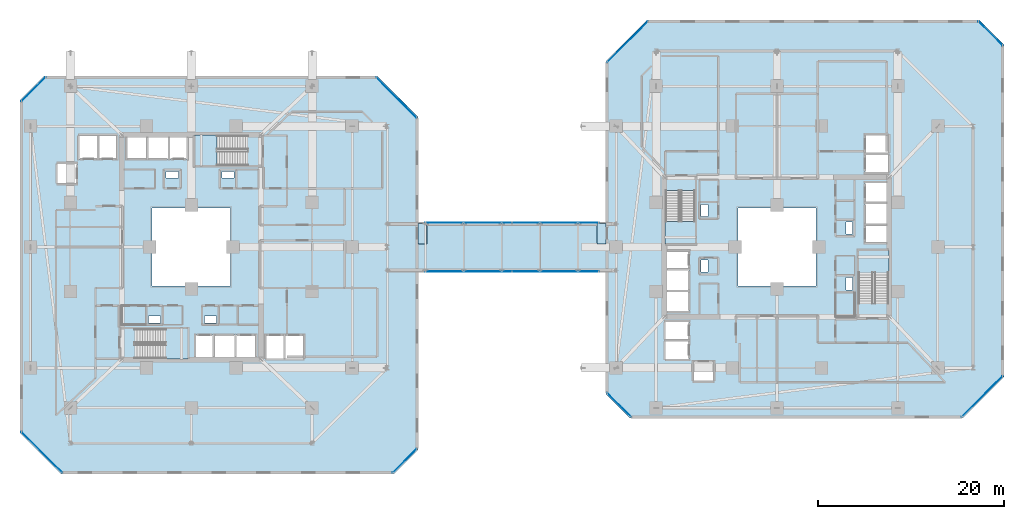
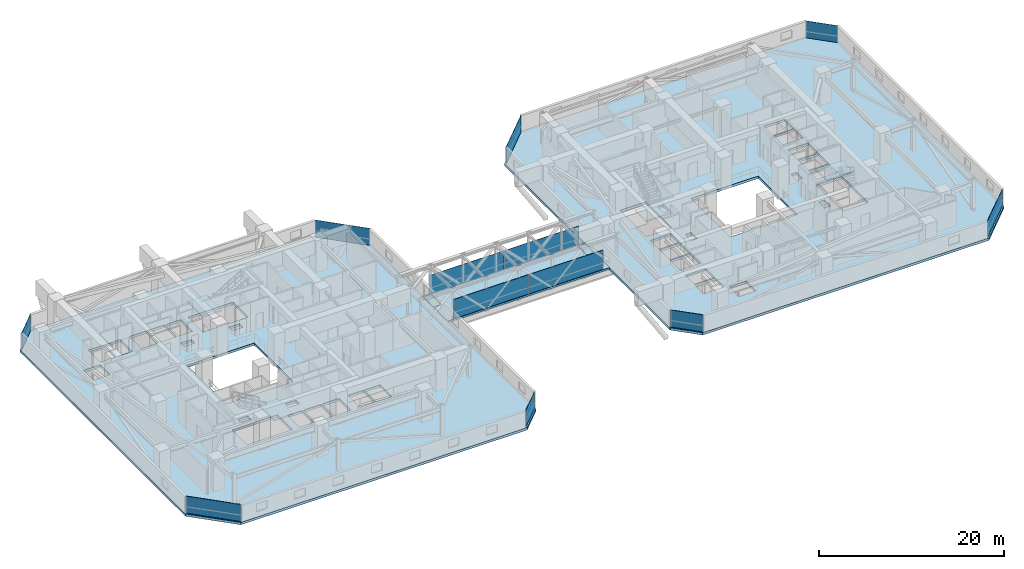
# One storey, part 23 of 38: 14 plates, 7 slabs, 14 elements without a shape of their own.
"""IFC4 building model written with IfcOpenShell, lengths in metres."""

from ifc_helpers import new_model, si_unit, direction, frame, origin, origin_2d, place, context, subcontext, project, spatial, polyline, rectangle, outline, extrude, material, layer, layer_set, type_object, element, aggregate, save


model = new_model("IFC4")

# Units and contexts
model_context = context("Model", 3, precision=1e-05, world=origin(), true_north=direction((0.0, 1.0)))
body_context = subcontext(model_context, "Body", "Model", "MODEL_VIEW")
ifc_project = project(units=[si_unit("LENGTHUNIT", "METRE"), si_unit("AREAUNIT", "SQUARE_METRE"), si_unit("VOLUMEUNIT", "CUBIC_METRE"), si_unit("PLANEANGLEUNIT", "RADIAN"), si_unit("MASSUNIT", "GRAM", prefix="KILO")], contexts=[model_context])

# Site, building, storey
site_placement = place(None, origin())
site = spatial("IfcSite", under=ifc_project, at=site_placement, CompositionType="ELEMENT")
building_placement = place(site_placement, origin())
building = spatial("IfcBuilding", under=site, at=building_placement, Name="Thornwick Lancets Civic Towers", CompositionType="ELEMENT")
storey_placement = place(building_placement, frame((0.0, 0.0, 71.699951171875)))
storey = spatial("IfcBuildingStorey", under=building, at=storey_placement, Name="L18", CompositionType="ELEMENT", Elevation=71.699951171875)

# Curtain wall, plate
ifc_material_1 = material(Name="Low-zone chamfered-corner unitised glass curtain wall", Category="glass")
curtain_wall_type_1 = type_object("IfcCurtainWallType", Name="CW_SYS_03", PredefinedType="NOTDEFINED", material=ifc_material_1)
curtain_wall_1_placement = place(storey_placement, origin())
curtain_wall_1 = element("IfcCurtainWall", 1, at=curtain_wall_1_placement, inside=storey, type_object=curtain_wall_type_1, Name="L18 Curtain Wall CW-L18-A-E1", PredefinedType="NOTDEFINED")
ifc_material_2 = material(Name="Low-e double glazing clear glass", Category="glass")
ifc_layer_1 = layer(ifc_material_2, 0.035888671875, Name="Low-e double glazing clear glass")
ifc_layer_set_1 = layer_set([ifc_layer_1], Name="Low-e double glazing clear glass")
plate_type_1 = type_object("IfcPlateType", Name="CW_PNL_GLASS", PredefinedType="CURTAIN_PANEL", material=ifc_layer_set_1)
plate_1_placement = place(storey_placement, frame((48.472900390625, 4.027099609375, 0.0), z_axis=(0.0, 0.0, 1.0), x_axis=(0.707106781187, 0.707106781187, 0.0)))
plate_1 = element("IfcPlate", 2, at=plate_1_placement, type_object=plate_type_1, Name="CW-L18-A-E1 Panel 0", PredefinedType="CURTAIN_PANEL", context=body_context, shape_type="SweptSolid", body=[
    extrude(rectangle(XDim=3.64990234375, YDim=0.035888671875, at=origin_2d()), origin(), (0.0, 0.0, 1.0), 2.239990234375),
])
aggregate(curtain_wall_1, [plate_1])

curtain_wall_2_placement = place(storey_placement, origin())
curtain_wall_2 = element("IfcCurtainWall", 3, at=curtain_wall_2_placement, inside=storey, type_object=curtain_wall_type_1, Name="L18 Curtain Wall CW-L18-A-E3", PredefinedType="NOTDEFINED")
plate_2_placement = place(storey_placement, frame((47.573486328125, 43.073486328125, 0.0), z_axis=(0.0, 0.0, 1.0), x_axis=(-0.707106781187, 0.707106781187, 0.0)))
plate_2 = element("IfcPlate", 4, at=plate_2_placement, type_object=plate_type_1, Name="CW-L18-A-E3 Panel 0", PredefinedType="CURTAIN_PANEL", context=body_context, shape_type="SweptSolid", body=[
    extrude(rectangle(XDim=6.177734375, YDim=0.035888671875, at=origin_2d()), origin(), (0.0, 0.0, 1.0), 2.239990234375),
])
aggregate(curtain_wall_2, [plate_2])

curtain_wall_3_placement = place(storey_placement, origin())
curtain_wall_3 = element("IfcCurtainWall", 5, at=curtain_wall_3_placement, inside=storey, type_object=curtain_wall_type_1, Name="L18 Curtain Wall CW-L18-A-E5", PredefinedType="NOTDEFINED")
plate_3_placement = place(storey_placement, frame((8.527099609375, 43.972900390625, 0.0), z_axis=(0.0, 0.0, 1.0), x_axis=(-0.707106781187, -0.707106781187, 0.0)))
plate_3 = element("IfcPlate", 6, at=plate_3_placement, type_object=plate_type_1, Name="CW-L18-A-E5 Panel 0", PredefinedType="CURTAIN_PANEL", context=body_context, shape_type="SweptSolid", body=[
    extrude(rectangle(XDim=3.64990234375, YDim=0.035888671875, at=origin_2d()), origin(), (0.0, 0.0, 1.0), 2.239990234375),
])
aggregate(curtain_wall_3, [plate_3])

curtain_wall_4_placement = place(storey_placement, origin())
curtain_wall_4 = element("IfcCurtainWall", 7, at=curtain_wall_4_placement, inside=storey, type_object=curtain_wall_type_1, Name="L18 Curtain Wall CW-L18-A-E7", PredefinedType="NOTDEFINED")
plate_4_placement = place(storey_placement, frame((9.426513671875, 4.926513671875, 0.0), z_axis=(0.0, 0.0, 1.0), x_axis=(0.707106781187, -0.707106781187, 0.0)))
plate_4 = element("IfcPlate", 8, at=plate_4_placement, type_object=plate_type_1, Name="CW-L18-A-E7 Panel 0", PredefinedType="CURTAIN_PANEL", context=body_context, shape_type="SweptSolid", body=[
    extrude(rectangle(XDim=6.177734375, YDim=0.035888671875, at=origin_2d()), origin(), (0.0, 0.0, 1.0), 2.239990234375),
])
aggregate(curtain_wall_4, [plate_4])

curtain_wall_5_placement = place(storey_placement, origin())
curtain_wall_5 = element("IfcCurtainWall", 9, at=curtain_wall_5_placement, inside=storey, type_object=curtain_wall_type_1, Name="L18 Curtain Wall CW-L18-B-E1", PredefinedType="NOTDEFINED")
plate_5_placement = place(storey_placement, frame((110.573486328125, 10.926513671875, 0.0), z_axis=(0.0, 0.0, 1.0), x_axis=(0.707106781187, 0.707106781187, 0.0)))
plate_5 = element("IfcPlate", 10, at=plate_5_placement, type_object=plate_type_1, Name="CW-L18-B-E1 Panel 0", PredefinedType="CURTAIN_PANEL", context=body_context, shape_type="SweptSolid", body=[
    extrude(rectangle(XDim=6.177734375, YDim=0.035888671875, at=origin_2d()), origin(), (0.0, 0.0, 1.0), 2.239990234375),
])
aggregate(curtain_wall_5, [plate_5])

curtain_wall_6_placement = place(storey_placement, origin())
curtain_wall_6 = element("IfcCurtainWall", 11, at=curtain_wall_6_placement, inside=storey, type_object=curtain_wall_type_1, Name="L18 Curtain Wall CW-L18-B-E3", PredefinedType="NOTDEFINED")
plate_6_placement = place(storey_placement, frame((111.472900390625, 49.972900390625, 0.0), z_axis=(0.0, 0.0, 1.0), x_axis=(-0.707106781187, 0.707106781187, 0.0)))
plate_6 = element("IfcPlate", 12, at=plate_6_placement, type_object=plate_type_1, Name="CW-L18-B-E3 Panel 0", PredefinedType="CURTAIN_PANEL", context=body_context, shape_type="SweptSolid", body=[
    extrude(rectangle(XDim=3.64990234375, YDim=0.035888671875, at=origin_2d()), origin(), (0.0, 0.0, 1.0), 2.239990234375),
])
aggregate(curtain_wall_6, [plate_6])

curtain_wall_7_placement = place(storey_placement, origin())
curtain_wall_7 = element("IfcCurtainWall", 13, at=curtain_wall_7_placement, inside=storey, type_object=curtain_wall_type_1, Name="L18 Curtain Wall CW-L18-B-E5", PredefinedType="NOTDEFINED")
plate_7_placement = place(storey_placement, frame((72.426513671875, 49.073486328125, 0.0), z_axis=(0.0, 0.0, 1.0), x_axis=(-0.707106781187, -0.707106781187, 0.0)))
plate_7 = element("IfcPlate", 14, at=plate_7_placement, type_object=plate_type_1, Name="CW-L18-B-E5 Panel 0", PredefinedType="CURTAIN_PANEL", context=body_context, shape_type="SweptSolid", body=[
    extrude(rectangle(XDim=6.177734375, YDim=0.035888671875, at=origin_2d()), origin(), (0.0, 0.0, 1.0), 2.239990234375),
])
aggregate(curtain_wall_7, [plate_7])

curtain_wall_8_placement = place(storey_placement, origin())
curtain_wall_8 = element("IfcCurtainWall", 15, at=curtain_wall_8_placement, inside=storey, type_object=curtain_wall_type_1, Name="L18 Curtain Wall CW-L18-B-E7", PredefinedType="NOTDEFINED")
plate_8_placement = place(storey_placement, frame((71.527099609375, 10.027099609375, 0.0), z_axis=(0.0, 0.0, 1.0), x_axis=(0.707106781187, -0.707106781187, 0.0)))
plate_8 = element("IfcPlate", 16, at=plate_8_placement, type_object=plate_type_1, Name="CW-L18-B-E7 Panel 0", PredefinedType="CURTAIN_PANEL", context=body_context, shape_type="SweptSolid", body=[
    extrude(rectangle(XDim=3.64990234375, YDim=0.035888671875, at=origin_2d()), origin(), (0.0, 0.0, 1.0), 2.239990234375),
])
aggregate(curtain_wall_8, [plate_8])

# Curtain wall, plates
ifc_material_3 = material(Name="Skybridge acoustic laminated-glass curtain wall", Category="glass")
curtain_wall_type_2 = type_object("IfcCurtainWallType", Name="CW_SYS_06", PredefinedType="NOTDEFINED", material=ifc_material_3)
curtain_wall_9_placement = place(storey_placement, origin())
curtain_wall_9 = element("IfcCurtainWall", 17, at=curtain_wall_9_placement, inside=storey, type_object=curtain_wall_type_2, Name="L18 Curtain Wall CW-L18-SKYBRIDGE-S", PredefinedType="NOTDEFINED")
plate_9_placement = place(storey_placement, frame((55.340087890625, 24.3798828125, 0.0), z_axis=(0.0, 0.0, 1.0), x_axis=(1.0, 0.0, 0.0)))
plate_9 = element("IfcPlate", 18, at=plate_9_placement, type_object=plate_type_1, Name="CW-L18-SKYBRIDGE-S Panel 0", PredefinedType="CURTAIN_PANEL", context=body_context, shape_type="SweptSolid", body=[
    extrude(rectangle(XDim=9.31591796875, YDim=0.035888671875, at=origin_2d()), origin(), (0.0, 0.0, 1.0), 2.550048828125),
])
plate_10_placement = place(storey_placement, frame((64.659912109375, 24.3798828125, 0.0), z_axis=(0.0, 0.0, 1.0), x_axis=(1.0, 0.0, 0.0)))
plate_10 = element("IfcPlate", 19, at=plate_10_placement, type_object=plate_type_1, Name="CW-L18-SKYBRIDGE-S Panel 1", PredefinedType="CURTAIN_PANEL", context=body_context, shape_type="SweptSolid", body=[
    extrude(rectangle(XDim=9.31591796875, YDim=0.035888671875, at=origin_2d()), origin(), (0.0, 0.0, 1.0), 2.550048828125),
])
aggregate(curtain_wall_9, [plate_9, plate_10])

curtain_wall_10_placement = place(storey_placement, origin())
curtain_wall_10 = element("IfcCurtainWall", 20, at=curtain_wall_10_placement, inside=storey, type_object=curtain_wall_type_2, Name="L18 Curtain Wall CW-L18-SKYBRIDGE-N", PredefinedType="NOTDEFINED")
plate_11_placement = place(storey_placement, frame((64.659912109375, 29.6201171875, 0.0), z_axis=(0.0, 0.0, 1.0), x_axis=(-1.0, 0.0, 0.0)))
plate_11 = element("IfcPlate", 21, at=plate_11_placement, type_object=plate_type_1, Name="CW-L18-SKYBRIDGE-N Panel 0", PredefinedType="CURTAIN_PANEL", context=body_context, shape_type="SweptSolid", body=[
    extrude(rectangle(XDim=9.31591796875, YDim=0.035888671875, at=origin_2d()), origin(), (0.0, 0.0, 1.0), 2.550048828125),
])
plate_12_placement = place(storey_placement, frame((55.340087890625, 29.6201171875, 0.0), z_axis=(0.0, 0.0, 1.0), x_axis=(-1.0, 0.0, 0.0)))
plate_12 = element("IfcPlate", 22, at=plate_12_placement, type_object=plate_type_1, Name="CW-L18-SKYBRIDGE-N Panel 1", PredefinedType="CURTAIN_PANEL", context=body_context, shape_type="SweptSolid", body=[
    extrude(rectangle(XDim=9.31591796875, YDim=0.035888671875, at=origin_2d()), origin(), (0.0, 0.0, 1.0), 2.550048828125),
])
aggregate(curtain_wall_10, [plate_11, plate_12])

# Plates
ifc_material_4 = material(Name="Steel S355JR", Category="steel")
ifc_layer_2 = layer(ifc_material_4, 0.030029296875, Name="Steel S355JR")
ifc_layer_set_2 = layer_set([ifc_layer_2], Name="Steel S355JR")
plate_type_2 = type_object("IfcPlateType", Name="PLT_THRESH_30", PredefinedType="SHEET", material=ifc_layer_set_2)
for number, where, z_axis, x_axis, name in (
    (23, (50.360107421875, 28.449951171875, -0.02978515625), (0.0, 0.0, 1.0), (1.0, 0.0, 0.0), "L18 Skybridge West Expansion Joint Plate"),
    (24, (69.639892578125, 28.449951171875, -0.02978515625), (0.0, 0.0, 1.0), (1.0, 0.0, 0.0), "L18 Skybridge East Expansion Joint Plate"),
):
    element("IfcPlate", number, at=place(storey_placement, frame(where, z_axis=z_axis, x_axis=x_axis)), inside=storey, type_object=plate_type_2, Name=name, PredefinedType="SHEET", context=body_context, shape_type="SweptSolid", body=[
        extrude(rectangle(XDim=0.949951171875, YDim=2.199951171875, at=origin_2d()), origin(), (0.0, 0.0, 1.0), 0.030029296875),
    ])

# Slab
ifc_material_5 = material(Name="Composite concrete C40/50", Category="concrete")
ifc_layer_3 = layer(ifc_material_5, 0.219970703125, Name="Composite concrete C40/50")
ifc_layer_set_3 = layer_set([ifc_layer_3], Name="Composite concrete C40/50")
slab_type_1 = type_object("IfcSlabType", Name="SLAB_BRIDGE_220", PredefinedType="FLOOR", material=ifc_layer_set_3)
slab_1_placement = place(storey_placement, frame((0.0, 0.0, -0.219970703125)))
element("IfcSlab", 25, at=slab_1_placement, inside=storey, type_object=slab_type_1, Name="L18 Inter-Tower Refuge Skybridge Deck Slab", PredefinedType="FLOOR", context=body_context, shape_type="SweptSolid", body=[
    extrude(outline(polyline([(49.8798828125, 24.300048828125), (70.1201171875, 24.300048828125), (70.1201171875, 29.699951171875), (49.8798828125, 29.699951171875), (49.8798828125, 24.300048828125)])), origin(), (0.0, 0.0, 1.0), 0.219970703125),
])

# Stair, slab
ifc_material_6 = material(Name="Concrete C40/50", Category="concrete")
stair_type = type_object("IfcStairType", Name="STAIR_DL_4200", PredefinedType="HALF_TURN_STAIR", material=ifc_material_6)
stair_1_placement = place(storey_placement, origin())
stair_1 = element("IfcStair", 26, at=stair_1_placement, inside=storey, type_object=stair_type, Name="L18 Tower A South Exit Stair ST-A1", PredefinedType="HALF_TURN_STAIR")
ifc_layer_4 = layer(ifc_material_6, 0.25, Name="Concrete C40/50")
ifc_layer_set_4 = layer_set([ifc_layer_4], Name="Concrete C40/50")
slab_type_2 = type_object("IfcSlabType", Name="SLAB_LANDING_200", PredefinedType="LANDING", material=ifc_layer_set_4)
slab_2_placement = place(storey_placement, frame((0.0, 0.0, 1.903076171875)))
slab_2 = element("IfcSlab", 27, at=slab_2_placement, type_object=slab_type_2, Name="ST-A1 landing 1", PredefinedType="LANDING", context=body_context, shape_type="SweptSolid", body=[
    extrude(outline(polyline([(22.72998046875, 14.93994140625), (25.14990234375, 14.93994140625), (25.14990234375, 18.260009765625), (22.72998046875, 18.260009765625), (22.72998046875, 14.93994140625)])), origin(), (0.0, 0.0, 1.0), 0.199951171875),
])
aggregate(stair_1, [slab_2])

stair_2_placement = place(storey_placement, origin())
stair_2 = element("IfcStair", 28, at=stair_2_placement, inside=storey, type_object=stair_type, Name="L18 Tower A North Exit Stair ST-A2", PredefinedType="HALF_TURN_STAIR")
slab_3_placement = place(storey_placement, frame((0.0, 0.0, 1.903076171875)))
slab_3 = element("IfcSlab", 29, at=slab_3_placement, type_object=slab_type_2, Name="ST-A2 landing 1", PredefinedType="LANDING", context=body_context, shape_type="SweptSolid", body=[
    extrude(outline(polyline([(28.27001953125, 39.06005859375), (25.85009765625, 39.06005859375), (25.85009765625, 35.739990234375), (28.27001953125, 35.739990234375), (28.27001953125, 39.06005859375)])), origin(), (0.0, 0.0, 1.0), 0.199951171875),
])
aggregate(stair_2, [slab_3])

stair_3_placement = place(storey_placement, origin())
stair_3 = element("IfcStair", 30, at=stair_3_placement, inside=storey, type_object=stair_type, Name="L18 Tower B East Exit Stair ST-B1", PredefinedType="HALF_TURN_STAIR")
slab_4_placement = place(storey_placement, frame((0.0, 0.0, 1.903076171875)))
slab_4 = element("IfcSlab", 31, at=slab_4_placement, type_object=slab_type_2, Name="ST-B1 landing 1", PredefinedType="LANDING", context=body_context, shape_type="SweptSolid", body=[
    extrude(outline(polyline([(100.56005859375, 24.22998046875), (100.56005859375, 26.64990234375), (97.239990234375, 26.64990234375), (97.239990234375, 24.22998046875), (100.56005859375, 24.22998046875)])), origin(), (0.0, 0.0, 1.0), 0.199951171875),
])
aggregate(stair_3, [slab_4])

stair_4_placement = place(storey_placement, origin())
stair_4 = element("IfcStair", 32, at=stair_4_placement, inside=storey, type_object=stair_type, Name="L18 Tower B West Exit Stair ST-B2", PredefinedType="HALF_TURN_STAIR")
slab_5_placement = place(storey_placement, frame((0.0, 0.0, 1.903076171875)))
slab_5 = element("IfcSlab", 33, at=slab_5_placement, type_object=slab_type_2, Name="ST-B2 landing 1", PredefinedType="LANDING", context=body_context, shape_type="SweptSolid", body=[
    extrude(outline(polyline([(76.43994140625, 29.77001953125), (76.43994140625, 27.35009765625), (79.760009765625, 27.35009765625), (79.760009765625, 29.77001953125), (76.43994140625, 29.77001953125)])), origin(), (0.0, 0.0, 1.0), 0.199951171875),
])
aggregate(stair_4, [slab_5])

# Slabs
ifc_material_7 = material(Name="Post-tensioned concrete C40/50", Category="concrete")
ifc_layer_5 = layer(ifc_material_7, 0.320068359375, Name="Post-tensioned concrete C40/50")
ifc_layer_set_5 = layer_set([ifc_layer_5], Name="Post-tensioned concrete C40/50")
slab_type_3 = type_object("IfcSlabType", Name="SLAB_PT_320", PredefinedType="FLOOR", material=ifc_layer_set_5)
slab_6_placement = place(storey_placement, frame((0.0, 0.0, -0.320068359375)))
element("IfcSlab", 34, at=slab_6_placement, inside=storey, type_object=slab_type_3, Name="L18 Tower A Floor Slab", PredefinedType="FLOOR", context=body_context, shape_type="SweptSolid", body=[
    extrude(outline(polyline([(11.5, 2.60009765625), (47.300048828125, 2.60009765625), (49.89990234375, 5.199951171875), (49.89990234375, 41.0), (45.5, 45.39990234375), (9.699951171875, 45.39990234375), (7.10009765625, 42.800048828125), (7.10009765625, 7.0), (11.5, 2.60009765625)]), holes=[polyline([(21.300048828125, 22.800048828125), (29.699951171875, 22.800048828125), (29.699951171875, 31.199951171875), (21.300048828125, 31.199951171875), (21.300048828125, 22.800048828125)]), polyline([(19.429931640625, 15.0), (25.10009765625, 15.0), (25.10009765625, 18.199951171875), (19.429931640625, 18.199951171875), (19.429931640625, 15.0)]), polyline([(31.570068359375, 39.0), (25.89990234375, 39.0), (25.89990234375, 35.800048828125), (31.570068359375, 35.800048828125), (31.570068359375, 39.0)]), polyline([(26.0, 15.0), (27.800048828125, 15.0), (27.800048828125, 17.550048828125), (26.0, 17.550048828125), (26.0, 15.0)]), polyline([(28.0, 15.0), (30.14990234375, 15.0), (30.14990234375, 17.550048828125), (28.0, 17.550048828125), (28.0, 15.0)]), polyline([(30.35009765625, 15.0), (32.39990234375, 15.0), (32.39990234375, 17.550048828125), (30.35009765625, 17.550048828125), (30.35009765625, 15.0)]), polyline([(33.550048828125, 15.0), (35.449951171875, 15.0), (35.449951171875, 17.550048828125), (33.550048828125, 17.550048828125), (33.550048828125, 15.0)]), polyline([(35.60009765625, 15.0), (37.550048828125, 15.0), (37.550048828125, 17.550048828125), (35.60009765625, 17.550048828125), (35.60009765625, 15.0)]), polyline([(23.199951171875, 36.449951171875), (25.0, 36.449951171875), (25.0, 39.0), (23.199951171875, 39.0), (23.199951171875, 36.449951171875)]), polyline([(20.85009765625, 36.449951171875), (23.0, 36.449951171875), (23.0, 39.0), (20.85009765625, 39.0), (20.85009765625, 36.449951171875)]), polyline([(18.60009765625, 36.449951171875), (20.699951171875, 36.449951171875), (20.699951171875, 39.0), (18.60009765625, 39.0), (18.60009765625, 36.449951171875)]), polyline([(15.550048828125, 36.449951171875), (17.449951171875, 36.449951171875), (17.449951171875, 39.0), (15.550048828125, 39.0), (15.550048828125, 36.449951171875)]), polyline([(13.449951171875, 36.449951171875), (15.39990234375, 36.449951171875), (15.39990234375, 39.0), (13.449951171875, 39.0), (13.449951171875, 36.449951171875)]), polyline([(11.10009765625, 33.85009765625), (13.199951171875, 33.85009765625), (13.199951171875, 35.949951171875), (11.10009765625, 35.949951171875), (11.10009765625, 33.85009765625)]), polyline([(26.89990234375, 18.85009765625), (28.199951171875, 18.85009765625), (28.199951171875, 19.580078125), (26.89990234375, 19.580078125), (26.89990234375, 18.85009765625)]), polyline([(20.89990234375, 18.85009765625), (22.199951171875, 18.85009765625), (22.199951171875, 19.580078125), (20.89990234375, 19.580078125), (20.89990234375, 18.85009765625)]), polyline([(22.800048828125, 34.419921875), (24.10009765625, 34.419921875), (24.10009765625, 35.14990234375), (22.800048828125, 35.14990234375), (22.800048828125, 34.419921875)]), polyline([(28.800048828125, 34.419921875), (30.10009765625, 34.419921875), (30.10009765625, 35.14990234375), (28.800048828125, 35.14990234375), (28.800048828125, 34.419921875)])]), origin(), (0.0, 0.0, 1.0), 0.320068359375),
])
slab_7_placement = place(storey_placement, frame((0.0, 0.0, -0.320068359375)))
element("IfcSlab", 35, at=slab_7_placement, inside=storey, type_object=slab_type_3, Name="L18 Tower B Floor Slab", PredefinedType="FLOOR", context=body_context, shape_type="SweptSolid", body=[
    extrude(outline(polyline([(72.699951171875, 8.60009765625), (108.5, 8.60009765625), (112.89990234375, 13.0), (112.89990234375, 48.800048828125), (110.300048828125, 51.39990234375), (74.5, 51.39990234375), (70.10009765625, 47.0), (70.10009765625, 11.199951171875), (72.699951171875, 8.60009765625)]), holes=[polyline([(84.300048828125, 22.800048828125), (92.699951171875, 22.800048828125), (92.699951171875, 31.199951171875), (84.300048828125, 31.199951171875), (84.300048828125, 22.800048828125)]), polyline([(100.5, 20.929931640625), (100.5, 26.60009765625), (97.300048828125, 26.60009765625), (97.300048828125, 20.929931640625), (100.5, 20.929931640625)]), polyline([(76.5, 33.070068359375), (76.5, 27.39990234375), (79.699951171875, 27.39990234375), (79.699951171875, 33.070068359375), (76.5, 33.070068359375)]), polyline([(97.949951171875, 27.5), (100.5, 27.5), (100.5, 29.300048828125), (97.949951171875, 29.300048828125), (97.949951171875, 27.5)]), polyline([(97.949951171875, 29.5), (100.5, 29.5), (100.5, 31.64990234375), (97.949951171875, 31.64990234375), (97.949951171875, 29.5)]), polyline([(97.949951171875, 31.85009765625), (100.5, 31.85009765625), (100.5, 33.89990234375), (97.949951171875, 33.89990234375), (97.949951171875, 31.85009765625)]), polyline([(97.949951171875, 35.050048828125), (100.5, 35.050048828125), (100.5, 36.949951171875), (97.949951171875, 36.949951171875), (97.949951171875, 35.050048828125)]), polyline([(97.949951171875, 37.10009765625), (100.5, 37.10009765625), (100.5, 39.050048828125), (97.949951171875, 39.050048828125), (97.949951171875, 37.10009765625)]), polyline([(76.5, 24.699951171875), (79.050048828125, 24.699951171875), (79.050048828125, 26.5), (76.5, 26.5), (76.5, 24.699951171875)]), polyline([(76.5, 22.35009765625), (79.050048828125, 22.35009765625), (79.050048828125, 24.5), (76.5, 24.5), (76.5, 22.35009765625)]), polyline([(76.5, 20.10009765625), (79.050048828125, 20.10009765625), (79.050048828125, 22.199951171875), (76.5, 22.199951171875), (76.5, 20.10009765625)]), polyline([(76.5, 17.050048828125), (79.050048828125, 17.050048828125), (79.050048828125, 18.949951171875), (76.5, 18.949951171875), (76.5, 17.050048828125)]), polyline([(76.5, 14.949951171875), (79.050048828125, 14.949951171875), (79.050048828125, 16.89990234375), (76.5, 16.89990234375), (76.5, 14.949951171875)]), polyline([(79.550048828125, 12.60009765625), (81.64990234375, 12.60009765625), (81.64990234375, 14.699951171875), (79.550048828125, 14.699951171875), (79.550048828125, 12.60009765625)]), polyline([(95.919921875, 28.39990234375), (96.64990234375, 28.39990234375), (96.64990234375, 29.699951171875), (95.919921875, 29.699951171875), (95.919921875, 28.39990234375)]), polyline([(95.919921875, 22.39990234375), (96.64990234375, 22.39990234375), (96.64990234375, 23.699951171875), (95.919921875, 23.699951171875), (95.919921875, 22.39990234375)]), polyline([(80.35009765625, 24.300048828125), (81.080078125, 24.300048828125), (81.080078125, 25.60009765625), (80.35009765625, 25.60009765625), (80.35009765625, 24.300048828125)]), polyline([(80.35009765625, 30.300048828125), (81.080078125, 30.300048828125), (81.080078125, 31.60009765625), (80.35009765625, 31.60009765625), (80.35009765625, 30.300048828125)])]), origin(), (0.0, 0.0, 1.0), 0.320068359375),
])

save(model, "model.ifc")
